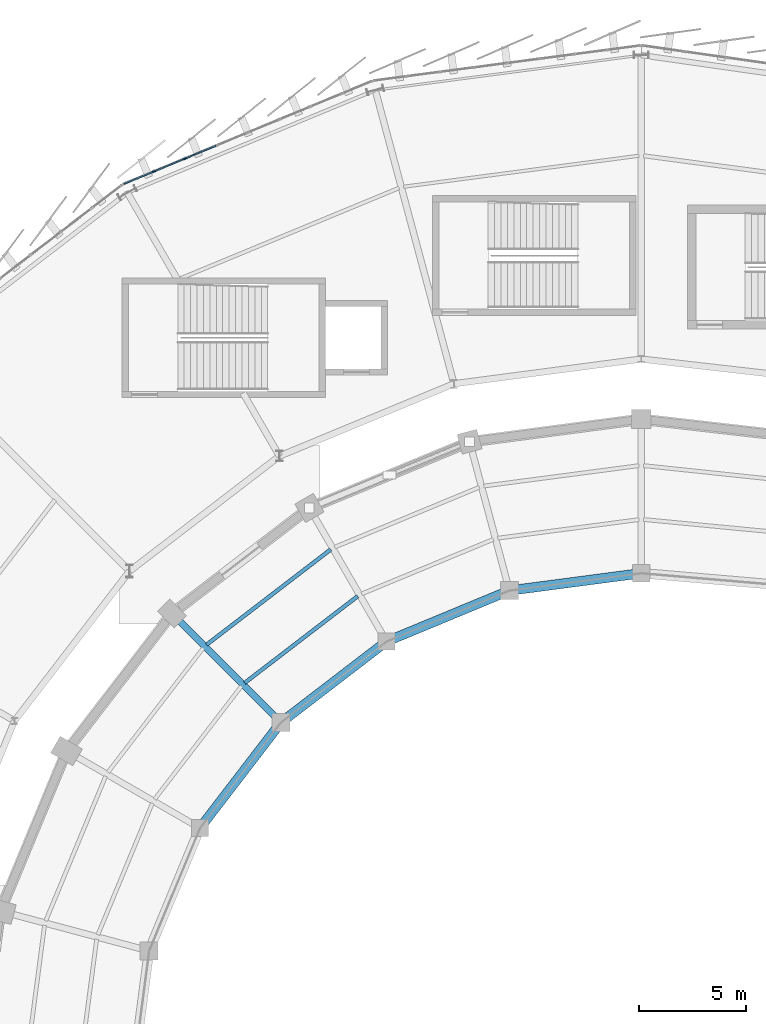
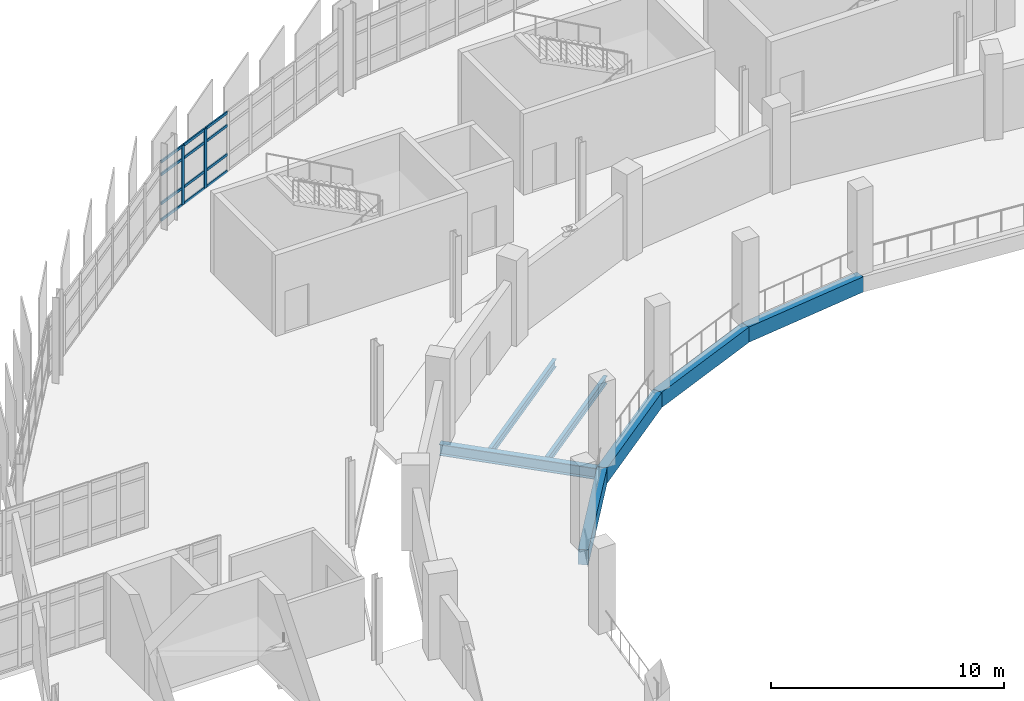
# One storey, part 55 of 125: 14 members, 7 beams, 1 element without a shape of its own.
"""IFC4 building model written with IfcOpenShell, lengths in metres."""

from ifc_helpers import new_model, si_unit, direction, frame, origin, origin_2d, place, context, subcontext, project, spatial, rectangle, i_section, extrude, material, layer, layer_set, material_profile, profile_set, type_object, element, aggregate, save


model = new_model("IFC4")

# Units and contexts
model_context = context("Model", 3, precision=1e-05, world=origin(), true_north=direction((0.0, 1.0)))
body_context = subcontext(model_context, "Body", "Model", "MODEL_VIEW")
ifc_project = project(units=[si_unit("LENGTHUNIT", "METRE"), si_unit("AREAUNIT", "SQUARE_METRE"), si_unit("VOLUMEUNIT", "CUBIC_METRE"), si_unit("PLANEANGLEUNIT", "RADIAN"), si_unit("MASSUNIT", "GRAM", prefix="KILO")], contexts=[model_context])

# Site, building, storey
site_placement = place(None, origin())
site = spatial("IfcSite", under=ifc_project, at=site_placement, CompositionType="ELEMENT")
building_placement = place(site_placement, origin())
building = spatial("IfcBuilding", under=site, at=building_placement, Name="Sohan Crest Arena", CompositionType="ELEMENT")
storey_placement = place(building_placement, frame((0.0, 0.0, 9.0)))
storey = spatial("IfcBuildingStorey", under=building, at=storey_placement, Name="L02", CompositionType="ELEMENT", Elevation=9.0)

# Curtain wall, members
ifc_material_1 = material(Name="Thermally broken anodised aluminium", Category="aluminium")
ifc_layer = layer(ifc_material_1, 0.199951171875, Name="Thermally broken anodised aluminium")
ifc_layer_set = layer_set([ifc_layer], Name="Thermally broken anodised aluminium")
curtain_wall_type = type_object("IfcCurtainWallType", Name="ARC-CW02", PredefinedType="NOTDEFINED", material=ifc_layer_set)
curtain_wall_placement = place(storey_placement, origin())
curtain_wall = element("IfcCurtainWall", 1, at=curtain_wall_placement, inside=storey, type_object=curtain_wall_type, Name="Unitised curtain wall CW-051", PredefinedType="NOTDEFINED")
ifc_material_profile_1 = material_profile(ifc_material_1, rectangle(XDim=0.06494140625, YDim=0.179931640625, at=origin_2d()), Name="ALU-MULL 65x180")
ifc_profile_set_1 = profile_set([ifc_material_profile_1], Name="Thermally broken anodised aluminium")
member_type_1 = type_object("IfcMemberType", Name="ARC-CW-ML02", PredefinedType="MULLION", material=ifc_profile_set_1)
member_1_placement = place(storey_placement, frame((76.6962890625, 121.1689453125, 0.0), z_axis=(0.0, 0.0, 1.0), x_axis=(0.382677663845, -0.92388192189, 0.0)))
member_1 = element("IfcMember", 2, at=member_1_placement, type_object=member_type_1, Name="CW-051 mullion 7", PredefinedType="MULLION", context=body_context, shape_type="SweptSolid", body=[
    extrude(rectangle(XDim=0.06494140625, YDim=0.179931640625, at=origin_2d()), origin(), (0.0, 0.0, 1.0), 3.1201171875),
])
member_2_placement = place(storey_placement, frame((75.235595703125, 120.56396484375, 0.0), z_axis=(0.0, 0.0, 1.0), x_axis=(0.382677663845, -0.92388192189, 0.0)))
member_2 = element("IfcMember", 3, at=member_2_placement, type_object=member_type_1, Name="CW-051 mullion 8", PredefinedType="MULLION", context=body_context, shape_type="SweptSolid", body=[
    extrude(rectangle(XDim=0.06494140625, YDim=0.179931640625, at=origin_2d()), origin(), (0.0, 0.0, 1.0), 3.1201171875),
])
ifc_material_profile_2 = material_profile(ifc_material_1, rectangle(XDim=0.06494140625, YDim=0.139892578125, at=origin_2d()), Name="ALU-TRAN 65x140")
ifc_profile_set_2 = profile_set([ifc_material_profile_2], Name="Thermally broken anodised aluminium")
member_type_2 = type_object("IfcMemberType", Name="ARC-CW-TR02", PredefinedType="USERDEFINED", material=ifc_profile_set_2)
member_3_placement = place(storey_placement, frame((78.126953125, 121.761474609375, 0.032470703125), z_axis=(-0.923899072508, -0.382636255234, 0.0), x_axis=(0.382636255234, -0.923899072508, 0.0)))
member_3 = element("IfcMember", 4, at=member_3_placement, type_object=member_type_2, Name="CW-051 transom 6.1", ObjectType="TRANSOM", PredefinedType="USERDEFINED", context=body_context, shape_type="SweptSolid", body=[
    extrude(rectangle(XDim=0.06494140625, YDim=0.139892578125, at=origin_2d()), origin(), (0.0, 0.0, 1.0), 1.51611328125),
])
member_4_placement = place(storey_placement, frame((78.126953125, 121.761474609375, 0.89990234375), z_axis=(-0.923899072508, -0.382636255234, 0.0), x_axis=(0.382636255234, -0.923899072508, 0.0)))
member_4 = element("IfcMember", 5, at=member_4_placement, type_object=member_type_2, Name="CW-051 transom 6.2", ObjectType="TRANSOM", PredefinedType="USERDEFINED", context=body_context, shape_type="SweptSolid", body=[
    extrude(rectangle(XDim=0.06494140625, YDim=0.139892578125, at=origin_2d()), origin(), (0.0, 0.0, 1.0), 1.51611328125),
])
member_5_placement = place(storey_placement, frame((78.126953125, 121.761474609375, 2.419921875), z_axis=(-0.923899072508, -0.382636255234, 0.0), x_axis=(0.382636255234, -0.923899072508, 0.0)))
member_5 = element("IfcMember", 6, at=member_5_placement, type_object=member_type_2, Name="CW-051 transom 6.3", ObjectType="TRANSOM", PredefinedType="USERDEFINED", context=body_context, shape_type="SweptSolid", body=[
    extrude(rectangle(XDim=0.06494140625, YDim=0.139892578125, at=origin_2d()), origin(), (0.0, 0.0, 1.0), 1.51611328125),
])
member_6_placement = place(storey_placement, frame((78.126953125, 121.761474609375, 3.08740234375), z_axis=(-0.923899072508, -0.382636255234, 0.0), x_axis=(0.382636255234, -0.923899072508, 0.0)))
member_6 = element("IfcMember", 7, at=member_6_placement, type_object=member_type_2, Name="CW-051 transom 6.4", ObjectType="TRANSOM", PredefinedType="USERDEFINED", context=body_context, shape_type="SweptSolid", body=[
    extrude(rectangle(XDim=0.06494140625, YDim=0.139892578125, at=origin_2d()), origin(), (0.0, 0.0, 1.0), 1.51611328125),
])
member_7_placement = place(storey_placement, frame((76.666259765625, 121.156494140625, 0.032470703125), z_axis=(-0.923899072508, -0.382636255234, 0.0), x_axis=(0.382636255234, -0.923899072508, 0.0)))
member_7 = element("IfcMember", 8, at=member_7_placement, type_object=member_type_2, Name="CW-051 transom 7.1", ObjectType="TRANSOM", PredefinedType="USERDEFINED", context=body_context, shape_type="SweptSolid", body=[
    extrude(rectangle(XDim=0.06494140625, YDim=0.139892578125, at=origin_2d()), origin(), (0.0, 0.0, 1.0), 1.51611328125),
])
member_8_placement = place(storey_placement, frame((76.666259765625, 121.156494140625, 0.89990234375), z_axis=(-0.923899072508, -0.382636255234, 0.0), x_axis=(0.382636255234, -0.923899072508, 0.0)))
member_8 = element("IfcMember", 9, at=member_8_placement, type_object=member_type_2, Name="CW-051 transom 7.2", ObjectType="TRANSOM", PredefinedType="USERDEFINED", context=body_context, shape_type="SweptSolid", body=[
    extrude(rectangle(XDim=0.06494140625, YDim=0.139892578125, at=origin_2d()), origin(), (0.0, 0.0, 1.0), 1.51611328125),
])
member_9_placement = place(storey_placement, frame((76.666259765625, 121.156494140625, 2.419921875), z_axis=(-0.923899072508, -0.382636255234, 0.0), x_axis=(0.382636255234, -0.923899072508, 0.0)))
member_9 = element("IfcMember", 10, at=member_9_placement, type_object=member_type_2, Name="CW-051 transom 7.3", ObjectType="TRANSOM", PredefinedType="USERDEFINED", context=body_context, shape_type="SweptSolid", body=[
    extrude(rectangle(XDim=0.06494140625, YDim=0.139892578125, at=origin_2d()), origin(), (0.0, 0.0, 1.0), 1.51611328125),
])
member_10_placement = place(storey_placement, frame((76.666259765625, 121.156494140625, 3.08740234375), z_axis=(-0.923899072508, -0.382636255234, 0.0), x_axis=(0.382636255234, -0.923899072508, 0.0)))
member_10 = element("IfcMember", 11, at=member_10_placement, type_object=member_type_2, Name="CW-051 transom 7.4", ObjectType="TRANSOM", PredefinedType="USERDEFINED", context=body_context, shape_type="SweptSolid", body=[
    extrude(rectangle(XDim=0.06494140625, YDim=0.139892578125, at=origin_2d()), origin(), (0.0, 0.0, 1.0), 1.51611328125),
])
member_11_placement = place(storey_placement, frame((75.20556640625, 120.551513671875, 0.032470703125), z_axis=(-0.923902510259, -0.382627954463, 0.0), x_axis=(0.382627954463, -0.923902510259, 0.0)))
member_11 = element("IfcMember", 12, at=member_11_placement, type_object=member_type_2, Name="CW-051 transom 8.1", ObjectType="TRANSOM", PredefinedType="USERDEFINED", context=body_context, shape_type="SweptSolid", body=[
    extrude(rectangle(XDim=0.06494140625, YDim=0.139892578125, at=origin_2d()), origin(), (0.0, 0.0, 1.0), 1.4833984375),
])
member_12_placement = place(storey_placement, frame((75.20556640625, 120.551513671875, 0.89990234375), z_axis=(-0.923902510259, -0.382627954463, 0.0), x_axis=(0.382627954463, -0.923902510259, 0.0)))
member_12 = element("IfcMember", 13, at=member_12_placement, type_object=member_type_2, Name="CW-051 transom 8.2", ObjectType="TRANSOM", PredefinedType="USERDEFINED", context=body_context, shape_type="SweptSolid", body=[
    extrude(rectangle(XDim=0.06494140625, YDim=0.139892578125, at=origin_2d()), origin(), (0.0, 0.0, 1.0), 1.4833984375),
])
member_13_placement = place(storey_placement, frame((75.20556640625, 120.551513671875, 2.419921875), z_axis=(-0.923902510259, -0.382627954463, 0.0), x_axis=(0.382627954463, -0.923902510259, 0.0)))
member_13 = element("IfcMember", 14, at=member_13_placement, type_object=member_type_2, Name="CW-051 transom 8.3", ObjectType="TRANSOM", PredefinedType="USERDEFINED", context=body_context, shape_type="SweptSolid", body=[
    extrude(rectangle(XDim=0.06494140625, YDim=0.139892578125, at=origin_2d()), origin(), (0.0, 0.0, 1.0), 1.4833984375),
])
member_14_placement = place(storey_placement, frame((75.20556640625, 120.551513671875, 3.08740234375), z_axis=(-0.923902510259, -0.382627954463, 0.0), x_axis=(0.382627954463, -0.923902510259, 0.0)))
member_14 = element("IfcMember", 15, at=member_14_placement, type_object=member_type_2, Name="CW-051 transom 8.4", ObjectType="TRANSOM", PredefinedType="USERDEFINED", context=body_context, shape_type="SweptSolid", body=[
    extrude(rectangle(XDim=0.06494140625, YDim=0.139892578125, at=origin_2d()), origin(), (0.0, 0.0, 1.0), 1.4833984375),
])
aggregate(curtain_wall, [member_1, member_2, member_3, member_4, member_5, member_6, member_7, member_8, member_9, member_10, member_11, member_12, member_13, member_14])

# Beams
ifc_material_2 = material(Name="Steel S355", Category="steel")
ifc_material_profile_3 = material_profile(ifc_material_2, i_section(OverallWidth=0.179931640625, OverallDepth=0.39990234375, WebThickness=0.008544921875, FlangeThickness=0.013427734375, at=origin_2d()), Name="IPE 400")
ifc_profile_set_3 = profile_set([ifc_material_profile_3], Name="Steel S355")
beam_type_1 = type_object("IfcBeamType", Name="STR-BM-B03", PredefinedType="JOIST", material=ifc_profile_set_3)
beam_1_placement = place(storey_placement, frame((84.7529296875, 100.72705078125, -0.449951171875), z_axis=(-0.793353438114, -0.608761301523, 0.0), x_axis=(0.608761301523, -0.793353438114, 0.0)))
element("IfcBeam", 16, at=beam_1_placement, inside=storey, type_object=beam_type_1, Name="Structural beam J-L02-0116", PredefinedType="JOIST", context=body_context, shape_type="SweptSolid", body=[
    extrude(i_section(OverallWidth=0.179931640625, OverallDepth=0.39990234375, WebThickness=0.008544921875, FlangeThickness=0.013427734375, at=origin_2d()), origin(), (0.0, 0.0, 1.0), 6.6513671875),
])
beam_2_placement = place(storey_placement, frame((83.492919921875, 102.908935546875, -0.449951171875), z_axis=(-0.793394486436, -0.608707802556, 0.0), x_axis=(0.608707802556, -0.793394486436, 0.0)))
element("IfcBeam", 17, at=beam_2_placement, inside=storey, type_object=beam_type_1, Name="Structural beam J-L02-0117", PredefinedType="JOIST", context=body_context, shape_type="SweptSolid", body=[
    extrude(i_section(OverallWidth=0.179931640625, OverallDepth=0.39990234375, WebThickness=0.008544921875, FlangeThickness=0.013427734375, at=origin_2d()), origin(), (0.0, 0.0, 1.0), 7.308837890625),
])
ifc_material_profile_4 = material_profile(ifc_material_2, i_section(OverallWidth=0.300048828125, OverallDepth=0.590087890625, WebThickness=0.012939453125, FlangeThickness=0.02490234375, at=origin_2d()), Name="HEA 600")
ifc_profile_set_4 = profile_set([ifc_material_profile_4], Name="Steel S355")
beam_type_2 = type_object("IfcBeamType", Name="STR-BM-B11", PredefinedType="BEAM", material=ifc_profile_set_4)
beam_3_placement = place(storey_placement, frame((81.1708984375, 94.8291015625, -0.544921875), z_axis=(-0.707106781187, 0.707106781187, 0.0), x_axis=(-0.707106781187, -0.707106781187, 0.0)))
element("IfcBeam", 18, at=beam_3_placement, inside=storey, type_object=beam_type_2, Name="Structural beam G-L02-0137", PredefinedType="BEAM", context=body_context, shape_type="SweptSolid", body=[
    extrude(i_section(OverallWidth=0.300048828125, OverallDepth=0.590087890625, WebThickness=0.012939453125, FlangeThickness=0.02490234375, at=origin_2d()), origin(), (0.0, 0.0, 1.0), 7.199462890625),
])
ifc_material_3 = material(Name="Concrete C40/50", Category="concrete")
ifc_material_profile_5 = material_profile(ifc_material_3, rectangle(XDim=0.449951171875, YDim=0.800048828125, at=origin_2d()), Name="RC-BM 450x800")
ifc_profile_set_5 = profile_set([ifc_material_profile_5], Name="Concrete C40/50")
beam_type_3 = type_object("IfcBeamType", Name="STR-BM-TB02", PredefinedType="BEAM", material=ifc_profile_set_5)
for number, where, z_axis, x_axis, name in (
    (19, (98.0, 101.800048828125, -0.64990234375), (-0.991443458676, -0.130536846329, 0.0), (0.130536846329, -0.991443458676, 0.0), "Structural beam TB-L02-0069"),
    (20, (91.840087890625, 100.989013671875, -0.64990234375), (-0.92385973493, -0.382731224457, 0.0), (0.382731224457, -0.92385973493, 0.0), "Structural beam TB-L02-0091"),
):
    element("IfcBeam", number, at=place(storey_placement, frame(where, z_axis=z_axis, x_axis=x_axis)), inside=storey, type_object=beam_type_3, Name=name, PredefinedType="BEAM", context=body_context, shape_type="SweptSolid", body=[
        extrude(rectangle(XDim=0.449951171875, YDim=0.800048828125, at=origin_2d()), origin(), (0.0, 0.0, 1.0), 6.213134765625),
    ])
for number, where, z_axis, x_axis, name in (
    (21, (86.10009765625, 98.611083984375, -0.64990234375), (-0.793378616602, -0.608728486864, 0.0), (0.608728486864, -0.793378616602, 0.0), "Structural beam TB-L02-0113"),
    (22, (81.1708984375, 94.8291015625, -0.64990234375), (-0.608728486864, -0.793378616602, 0.0), (0.793378616602, -0.608728486864, 0.0), "Structural beam TB-L02-0135"),
):
    element("IfcBeam", number, at=place(storey_placement, frame(where, z_axis=z_axis, x_axis=x_axis)), inside=storey, type_object=beam_type_3, Name=name, PredefinedType="BEAM", context=body_context, shape_type="SweptSolid", body=[
        extrude(rectangle(XDim=0.449951171875, YDim=0.800048828125, at=origin_2d()), origin(), (0.0, 0.0, 1.0), 6.212890625),
    ])

save(model, "model.ifc")
